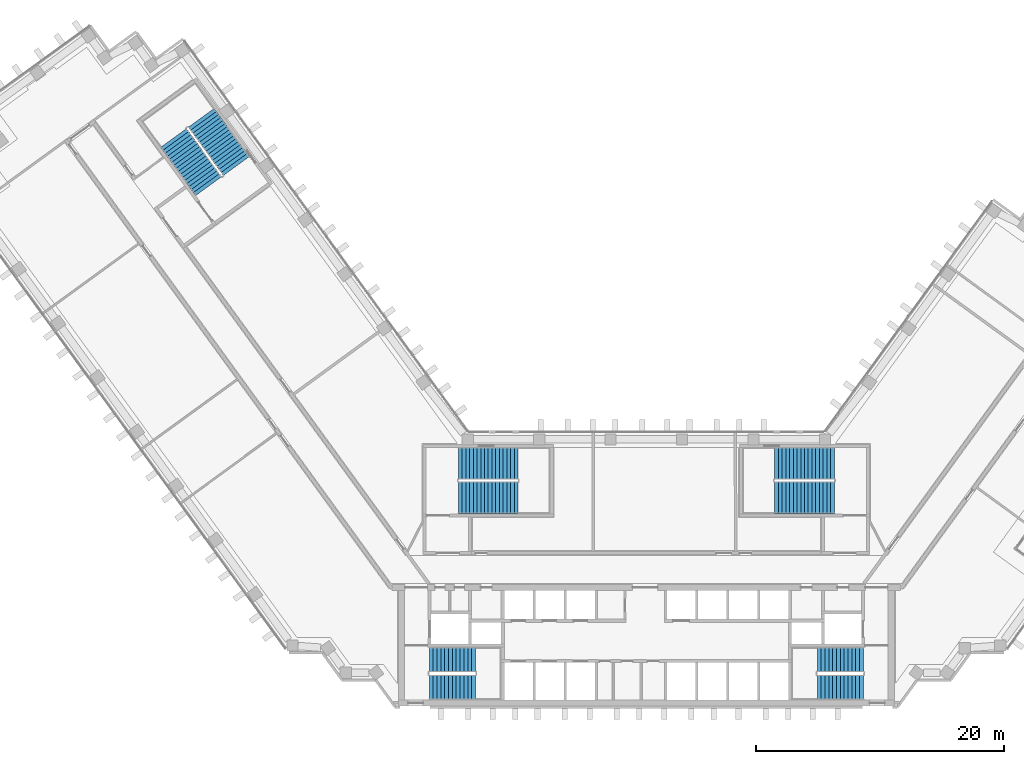
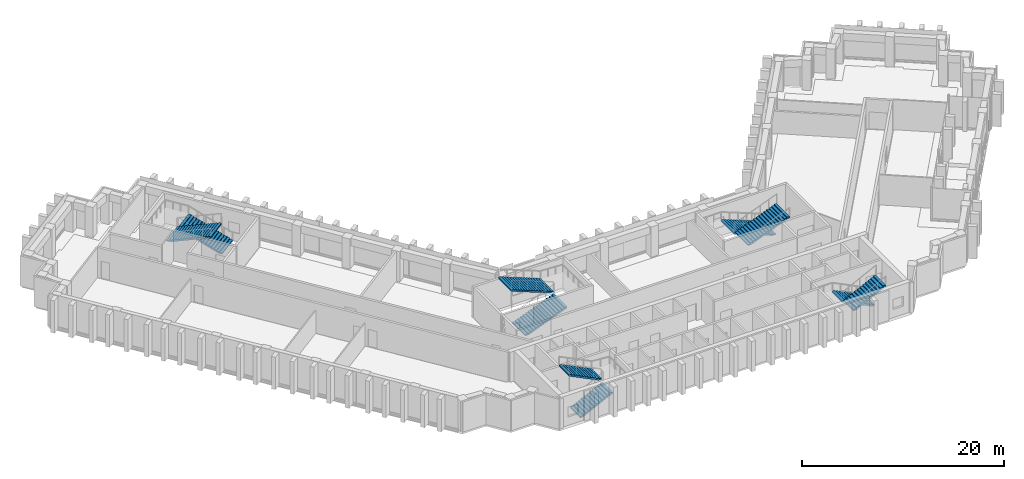
# One storey, part 12 of 15: 10 stair flights, 5 elements without a shape of their own.
"""IFC4 building model written with IfcOpenShell, lengths in metres."""

from ifc_helpers import new_model, si_unit, direction, frame, origin, place, context, subcontext, project, spatial, polyline, outline, extrude, material, type_object, element, aggregate, save


model = new_model("IFC4")

# Units and contexts
model_context = context("Model", 3, precision=1e-05, world=origin(), true_north=direction((0.0, 1.0)))
body_context = subcontext(model_context, "Body", "Model", "MODEL_VIEW")
ifc_project = project(units=[si_unit("LENGTHUNIT", "METRE"), si_unit("AREAUNIT", "SQUARE_METRE"), si_unit("VOLUMEUNIT", "CUBIC_METRE"), si_unit("PLANEANGLEUNIT", "RADIAN"), si_unit("MASSUNIT", "GRAM", prefix="KILO")], contexts=[model_context])

# Site, building, storey
site_placement = place(None, origin())
site = spatial("IfcSite", under=ifc_project, at=site_placement, CompositionType="ELEMENT")
building_placement = place(site_placement, origin())
building = spatial("IfcBuilding", under=site, at=building_placement, Name="Quipu Civic Tower", CompositionType="ELEMENT")
storey_placement = place(building_placement, frame((0.0, 0.0, 97.0)))
storey = spatial("IfcBuildingStorey", under=building, at=storey_placement, Name="L22", CompositionType="ELEMENT", Elevation=97.0)

# Stair, stair flights
ifc_material_1 = material(Name="Concrete C40/50", Category="concrete")
stair_type_1 = type_object("IfcStairType", Name="Half turn stair 2000", PredefinedType="HALF_TURN_STAIR", material=ifc_material_1)
stair_1_placement = place(storey_placement, origin())
stair_1 = element("IfcStair", 1, at=stair_1_placement, inside=storey, type_object=stair_type_1, Name="Exit stair 1", PredefinedType="HALF_TURN_STAIR")
ifc_material_2 = material(Name="Concrete C40/50", Category="concrete")
stair_flight_type_1 = type_object("IfcStairFlightType", Name="Stair flight 2000", PredefinedType="STRAIGHT", material=ifc_material_2)
stair_flight_1_placement = place(storey_placement, frame((-17.5, -9.5, 0.0), z_axis=(0.0, 0.0, 1.0), x_axis=(1.0, 0.0, 0.0)))
stair_flight_1 = element("IfcStairFlight", 2, at=stair_flight_1_placement, type_object=stair_flight_type_1, Name="ST-1 flight 1", NumberOfRisers=13, NumberOfTreads=12, PredefinedType="STRAIGHT", RiserHeight=0.153846154, TreadLength=0.31, context=body_context, shape_type="SweptSolid", body=[
    extrude(outline(polyline([(0.0, 0.0), (0.0, 0.15380859375), (0.31005859375, 0.15380859375), (0.31005859375, 0.3076171875), (0.6201171875, 0.3076171875), (0.6201171875, 0.46142578125), (0.929931640625, 0.46142578125), (0.929931640625, 0.615478515625), (1.239990234375, 0.615478515625), (1.239990234375, 0.769287109375), (1.550048828125, 0.769287109375), (1.550048828125, 0.923095703125), (1.860107421875, 0.923095703125), (1.860107421875, 1.076904296875), (2.169921875, 1.076904296875), (2.169921875, 1.230712890625), (2.47998046875, 1.230712890625), (2.47998046875, 1.384521484375), (2.7900390625, 1.384521484375), (2.7900390625, 1.53857421875), (3.10009765625, 1.53857421875), (3.10009765625, 1.6923828125), (3.409912109375, 1.6923828125), (3.409912109375, 1.84619140625), (3.719970703125, 1.84619140625), (3.719970703125, 2.0), (3.719970703125, 1.6787109375), (0.337158203125, 0.0), (0.0, 0.0)])), frame((0.0, 1.0, 0.0), z_axis=(0.0, -1.0, 0.0), x_axis=(1.0, 0.0, 0.0)), (0.0, 0.0, 1.0), 2.0),
])
stair_flight_2_placement = place(storey_placement, frame((-13.780029296875, -7.25, 2.0), z_axis=(0.0, 0.0, 1.0), x_axis=(-1.0, 0.0, 0.0)))
stair_flight_2 = element("IfcStairFlight", 3, at=stair_flight_2_placement, type_object=stair_flight_type_1, Name="ST-1 flight 2", NumberOfRisers=13, NumberOfTreads=12, PredefinedType="STRAIGHT", RiserHeight=0.153846154, TreadLength=0.31, context=body_context, shape_type="SweptSolid", body=[
    extrude(outline(polyline([(0.0, 0.0), (0.0, 0.15380859375), (0.31005859375, 0.15380859375), (0.31005859375, 0.3076171875), (0.6201171875, 0.3076171875), (0.6201171875, 0.46142578125), (0.929931640625, 0.46142578125), (0.929931640625, 0.615478515625), (1.239990234375, 0.615478515625), (1.239990234375, 0.769287109375), (1.550048828125, 0.769287109375), (1.550048828125, 0.923095703125), (1.860107421875, 0.923095703125), (1.860107421875, 1.076904296875), (2.169921875, 1.076904296875), (2.169921875, 1.230712890625), (2.47998046875, 1.230712890625), (2.47998046875, 1.384521484375), (2.7900390625, 1.384521484375), (2.7900390625, 1.53857421875), (3.10009765625, 1.53857421875), (3.10009765625, 1.6923828125), (3.409912109375, 1.6923828125), (3.409912109375, 1.84619140625), (3.719970703125, 1.84619140625), (3.719970703125, 2.0), (3.719970703125, 1.6787109375), (0.337158203125, 0.0), (0.0, 0.0)])), frame((0.0, 1.0, 0.0), z_axis=(0.0, -1.0, 0.0), x_axis=(1.0, 0.0, 0.0)), (0.0, 0.0, 1.0), 2.0),
])
aggregate(stair_1, [stair_flight_1, stair_flight_2])

stair_2_placement = place(storey_placement, origin())
stair_2 = element("IfcStair", 4, at=stair_2_placement, inside=storey, type_object=stair_type_1, Name="Exit stair 2", PredefinedType="HALF_TURN_STAIR")
stair_flight_3_placement = place(storey_placement, frame((17.5, -7.25, 0.0), z_axis=(0.0, 0.0, 1.0), x_axis=(-1.0, 0.0, 0.0)))
stair_flight_3 = element("IfcStairFlight", 5, at=stair_flight_3_placement, type_object=stair_flight_type_1, Name="ST-2 flight 1", NumberOfRisers=13, NumberOfTreads=12, PredefinedType="STRAIGHT", RiserHeight=0.153846154, TreadLength=0.31, context=body_context, shape_type="SweptSolid", body=[
    extrude(outline(polyline([(0.0, 0.0), (0.0, 0.15380859375), (0.31005859375, 0.15380859375), (0.31005859375, 0.3076171875), (0.6201171875, 0.3076171875), (0.6201171875, 0.46142578125), (0.929931640625, 0.46142578125), (0.929931640625, 0.615478515625), (1.239990234375, 0.615478515625), (1.239990234375, 0.769287109375), (1.550048828125, 0.769287109375), (1.550048828125, 0.923095703125), (1.860107421875, 0.923095703125), (1.860107421875, 1.076904296875), (2.169921875, 1.076904296875), (2.169921875, 1.230712890625), (2.47998046875, 1.230712890625), (2.47998046875, 1.384521484375), (2.7900390625, 1.384521484375), (2.7900390625, 1.53857421875), (3.10009765625, 1.53857421875), (3.10009765625, 1.6923828125), (3.409912109375, 1.6923828125), (3.409912109375, 1.84619140625), (3.719970703125, 1.84619140625), (3.719970703125, 2.0), (3.719970703125, 1.6787109375), (0.337158203125, 0.0), (0.0, 0.0)])), frame((0.0, 1.0, 0.0), z_axis=(0.0, -1.0, 0.0), x_axis=(1.0, 0.0, 0.0)), (0.0, 0.0, 1.0), 2.0),
])
stair_flight_4_placement = place(storey_placement, frame((13.780029296875, -9.5, 2.0), z_axis=(0.0, 0.0, 1.0), x_axis=(1.0, 0.0, 0.0)))
stair_flight_4 = element("IfcStairFlight", 6, at=stair_flight_4_placement, type_object=stair_flight_type_1, Name="ST-2 flight 2", NumberOfRisers=13, NumberOfTreads=12, PredefinedType="STRAIGHT", RiserHeight=0.153846154, TreadLength=0.31, context=body_context, shape_type="SweptSolid", body=[
    extrude(outline(polyline([(0.0, 0.0), (0.0, 0.15380859375), (0.31005859375, 0.15380859375), (0.31005859375, 0.3076171875), (0.6201171875, 0.3076171875), (0.6201171875, 0.46142578125), (0.929931640625, 0.46142578125), (0.929931640625, 0.615478515625), (1.239990234375, 0.615478515625), (1.239990234375, 0.769287109375), (1.550048828125, 0.769287109375), (1.550048828125, 0.923095703125), (1.860107421875, 0.923095703125), (1.860107421875, 1.076904296875), (2.169921875, 1.076904296875), (2.169921875, 1.230712890625), (2.47998046875, 1.230712890625), (2.47998046875, 1.384521484375), (2.7900390625, 1.384521484375), (2.7900390625, 1.53857421875), (3.10009765625, 1.53857421875), (3.10009765625, 1.6923828125), (3.409912109375, 1.6923828125), (3.409912109375, 1.84619140625), (3.719970703125, 1.84619140625), (3.719970703125, 2.0), (3.719970703125, 1.6787109375), (0.337158203125, 0.0), (0.0, 0.0)])), frame((0.0, 1.0, 0.0), z_axis=(0.0, -1.0, 0.0), x_axis=(1.0, 0.0, 0.0)), (0.0, 0.0, 1.0), 2.0),
])
aggregate(stair_2, [stair_flight_3, stair_flight_4])

ifc_material_3 = material(Name="Concrete C40/50", Category="concrete")
stair_type_2 = type_object("IfcStairType", Name="Half turn stair 2600", PredefinedType="HALF_TURN_STAIR", material=ifc_material_3)
stair_3_placement = place(storey_placement, origin())
stair_3 = element("IfcStair", 7, at=stair_3_placement, inside=storey, type_object=stair_type_2, Name="Exit stair 3", PredefinedType="HALF_TURN_STAIR")
ifc_material_4 = material(Name="Concrete C40/50", Category="concrete")
stair_flight_type_2 = type_object("IfcStairFlightType", Name="Stair flight 2600", PredefinedType="STRAIGHT", material=ifc_material_4)
stair_flight_5_placement = place(storey_placement, frame((-15.14990234375, 5.800048828125, 0.0), z_axis=(0.0, 0.0, 1.0), x_axis=(1.0, 0.0, 0.0)))
stair_flight_5 = element("IfcStairFlight", 8, at=stair_flight_5_placement, type_object=stair_flight_type_2, Name="ST-3 flight 1", NumberOfRisers=17, NumberOfTreads=16, PredefinedType="STRAIGHT", RiserHeight=0.117647059, TreadLength=0.3, context=body_context, shape_type="SweptSolid", body=[
    extrude(outline(polyline([(0.0, 0.0), (0.0, 0.11767578125), (0.300048828125, 0.11767578125), (0.300048828125, 0.2353515625), (0.60009765625, 0.2353515625), (0.60009765625, 0.35302734375), (0.89990234375, 0.35302734375), (0.89990234375, 0.470703125), (1.199951171875, 0.470703125), (1.199951171875, 0.588134765625), (1.5, 0.588134765625), (1.5, 0.705810546875), (1.800048828125, 0.705810546875), (1.800048828125, 0.823486328125), (2.10009765625, 0.823486328125), (2.10009765625, 0.941162109375), (2.39990234375, 0.941162109375), (2.39990234375, 1.058837890625), (2.699951171875, 1.058837890625), (2.699951171875, 1.176513671875), (3.0, 1.176513671875), (3.0, 1.294189453125), (3.300048828125, 1.294189453125), (3.300048828125, 1.411865234375), (3.60009765625, 1.411865234375), (3.60009765625, 1.529296875), (3.89990234375, 1.529296875), (3.89990234375, 1.64697265625), (4.199951171875, 1.64697265625), (4.199951171875, 1.7646484375), (4.5, 1.7646484375), (4.5, 1.88232421875), (4.800048828125, 1.88232421875), (4.800048828125, 2.0), (4.800048828125, 1.721435546875), (0.41064453125, 0.0), (0.0, 0.0)])), frame((0.0, 1.300048828125, 0.0), z_axis=(0.0, -1.0, 0.0), x_axis=(1.0, 0.0, 0.0)), (0.0, 0.0, 1.0), 2.60009765625),
])
stair_flight_6_placement = place(storey_placement, frame((-10.35009765625, 8.550048828125, 2.0), z_axis=(0.0, 0.0, 1.0), x_axis=(-1.0, 0.0, 0.0)))
stair_flight_6 = element("IfcStairFlight", 9, at=stair_flight_6_placement, type_object=stair_flight_type_2, Name="ST-3 flight 2", NumberOfRisers=17, NumberOfTreads=16, PredefinedType="STRAIGHT", RiserHeight=0.117647059, TreadLength=0.3, context=body_context, shape_type="SweptSolid", body=[
    extrude(outline(polyline([(0.0, 0.0), (0.0, 0.11767578125), (0.300048828125, 0.11767578125), (0.300048828125, 0.2353515625), (0.60009765625, 0.2353515625), (0.60009765625, 0.35302734375), (0.89990234375, 0.35302734375), (0.89990234375, 0.470703125), (1.199951171875, 0.470703125), (1.199951171875, 0.588134765625), (1.5, 0.588134765625), (1.5, 0.705810546875), (1.800048828125, 0.705810546875), (1.800048828125, 0.823486328125), (2.10009765625, 0.823486328125), (2.10009765625, 0.941162109375), (2.39990234375, 0.941162109375), (2.39990234375, 1.058837890625), (2.699951171875, 1.058837890625), (2.699951171875, 1.176513671875), (3.0, 1.176513671875), (3.0, 1.294189453125), (3.300048828125, 1.294189453125), (3.300048828125, 1.411865234375), (3.60009765625, 1.411865234375), (3.60009765625, 1.529296875), (3.89990234375, 1.529296875), (3.89990234375, 1.64697265625), (4.199951171875, 1.64697265625), (4.199951171875, 1.7646484375), (4.5, 1.7646484375), (4.5, 1.88232421875), (4.800048828125, 1.88232421875), (4.800048828125, 2.0), (4.800048828125, 1.721435546875), (0.41064453125, 0.0), (0.0, 0.0)])), frame((0.0, 1.300048828125, 0.0), z_axis=(0.0, -1.0, 0.0), x_axis=(1.0, 0.0, 0.0)), (0.0, 0.0, 1.0), 2.60009765625),
])
aggregate(stair_3, [stair_flight_5, stair_flight_6])

stair_4_placement = place(storey_placement, origin())
stair_4 = element("IfcStair", 10, at=stair_4_placement, inside=storey, type_object=stair_type_2, Name="Exit stair 4", PredefinedType="HALF_TURN_STAIR")
stair_flight_7_placement = place(storey_placement, frame((15.14990234375, 8.550048828125, 0.0), z_axis=(0.0, 0.0, 1.0), x_axis=(-1.0, 0.0, 0.0)))
stair_flight_7 = element("IfcStairFlight", 11, at=stair_flight_7_placement, type_object=stair_flight_type_2, Name="ST-4 flight 1", NumberOfRisers=17, NumberOfTreads=16, PredefinedType="STRAIGHT", RiserHeight=0.117647059, TreadLength=0.3, context=body_context, shape_type="SweptSolid", body=[
    extrude(outline(polyline([(0.0, 0.0), (0.0, 0.11767578125), (0.300048828125, 0.11767578125), (0.300048828125, 0.2353515625), (0.60009765625, 0.2353515625), (0.60009765625, 0.35302734375), (0.89990234375, 0.35302734375), (0.89990234375, 0.470703125), (1.199951171875, 0.470703125), (1.199951171875, 0.588134765625), (1.5, 0.588134765625), (1.5, 0.705810546875), (1.800048828125, 0.705810546875), (1.800048828125, 0.823486328125), (2.10009765625, 0.823486328125), (2.10009765625, 0.941162109375), (2.39990234375, 0.941162109375), (2.39990234375, 1.058837890625), (2.699951171875, 1.058837890625), (2.699951171875, 1.176513671875), (3.0, 1.176513671875), (3.0, 1.294189453125), (3.300048828125, 1.294189453125), (3.300048828125, 1.411865234375), (3.60009765625, 1.411865234375), (3.60009765625, 1.529296875), (3.89990234375, 1.529296875), (3.89990234375, 1.64697265625), (4.199951171875, 1.64697265625), (4.199951171875, 1.7646484375), (4.5, 1.7646484375), (4.5, 1.88232421875), (4.800048828125, 1.88232421875), (4.800048828125, 2.0), (4.800048828125, 1.721435546875), (0.41064453125, 0.0), (0.0, 0.0)])), frame((0.0, 1.300048828125, 0.0), z_axis=(0.0, -1.0, 0.0), x_axis=(1.0, 0.0, 0.0)), (0.0, 0.0, 1.0), 2.60009765625),
])
stair_flight_8_placement = place(storey_placement, frame((10.35009765625, 5.800048828125, 2.0), z_axis=(0.0, 0.0, 1.0), x_axis=(1.0, 0.0, 0.0)))
stair_flight_8 = element("IfcStairFlight", 12, at=stair_flight_8_placement, type_object=stair_flight_type_2, Name="ST-4 flight 2", NumberOfRisers=17, NumberOfTreads=16, PredefinedType="STRAIGHT", RiserHeight=0.117647059, TreadLength=0.3, context=body_context, shape_type="SweptSolid", body=[
    extrude(outline(polyline([(0.0, 0.0), (0.0, 0.11767578125), (0.300048828125, 0.11767578125), (0.300048828125, 0.2353515625), (0.60009765625, 0.2353515625), (0.60009765625, 0.35302734375), (0.89990234375, 0.35302734375), (0.89990234375, 0.470703125), (1.199951171875, 0.470703125), (1.199951171875, 0.588134765625), (1.5, 0.588134765625), (1.5, 0.705810546875), (1.800048828125, 0.705810546875), (1.800048828125, 0.823486328125), (2.10009765625, 0.823486328125), (2.10009765625, 0.941162109375), (2.39990234375, 0.941162109375), (2.39990234375, 1.058837890625), (2.699951171875, 1.058837890625), (2.699951171875, 1.176513671875), (3.0, 1.176513671875), (3.0, 1.294189453125), (3.300048828125, 1.294189453125), (3.300048828125, 1.411865234375), (3.60009765625, 1.411865234375), (3.60009765625, 1.529296875), (3.89990234375, 1.529296875), (3.89990234375, 1.64697265625), (4.199951171875, 1.64697265625), (4.199951171875, 1.7646484375), (4.5, 1.7646484375), (4.5, 1.88232421875), (4.800048828125, 1.88232421875), (4.800048828125, 2.0), (4.800048828125, 1.721435546875), (0.41064453125, 0.0), (0.0, 0.0)])), frame((0.0, 1.300048828125, 0.0), z_axis=(0.0, -1.0, 0.0), x_axis=(1.0, 0.0, 0.0)), (0.0, 0.0, 1.0), 2.60009765625),
])
aggregate(stair_4, [stair_flight_7, stair_flight_8])

stair_5_placement = place(storey_placement, origin())
stair_5 = element("IfcStair", 13, at=stair_5_placement, inside=storey, type_object=stair_type_2, Name="Exit stair 6", PredefinedType="HALF_TURN_STAIR")
stair_flight_9_placement = place(storey_placement, frame((-33.067626953125, 32.5322265625, 0.0), z_axis=(0.0, 0.0, 1.0), x_axis=(-0.587785252292, 0.809016994375, 0.0)))
stair_flight_9 = element("IfcStairFlight", 14, at=stair_flight_9_placement, type_object=stair_flight_type_2, Name="ST-6 flight 1", NumberOfRisers=17, NumberOfTreads=16, PredefinedType="STRAIGHT", RiserHeight=0.117647059, TreadLength=0.3, context=body_context, shape_type="SweptSolid", body=[
    extrude(outline(polyline([(0.0, 0.0), (0.0, 0.11767578125), (0.300048828125, 0.11767578125), (0.300048828125, 0.2353515625), (0.60009765625, 0.2353515625), (0.60009765625, 0.35302734375), (0.89990234375, 0.35302734375), (0.89990234375, 0.470703125), (1.199951171875, 0.470703125), (1.199951171875, 0.588134765625), (1.5, 0.588134765625), (1.5, 0.705810546875), (1.800048828125, 0.705810546875), (1.800048828125, 0.823486328125), (2.10009765625, 0.823486328125), (2.10009765625, 0.941162109375), (2.39990234375, 0.941162109375), (2.39990234375, 1.058837890625), (2.699951171875, 1.058837890625), (2.699951171875, 1.176513671875), (3.0, 1.176513671875), (3.0, 1.294189453125), (3.300048828125, 1.294189453125), (3.300048828125, 1.411865234375), (3.60009765625, 1.411865234375), (3.60009765625, 1.529296875), (3.89990234375, 1.529296875), (3.89990234375, 1.64697265625), (4.199951171875, 1.64697265625), (4.199951171875, 1.7646484375), (4.5, 1.7646484375), (4.5, 1.88232421875), (4.800048828125, 1.88232421875), (4.800048828125, 2.0), (4.800048828125, 1.721435546875), (0.41064453125, 0.0), (0.0, 0.0)])), frame((0.0, 1.300048828125, 0.0), z_axis=(0.0, -1.0, 0.0), x_axis=(1.0, 0.0, 0.0)), (0.0, 0.0, 1.0), 2.60009765625),
])
stair_flight_10_placement = place(storey_placement, frame((-38.11376953125, 34.799072265625, 2.0), z_axis=(0.0, 0.0, 1.0), x_axis=(0.587785252292, -0.809016994375, 0.0)))
stair_flight_10 = element("IfcStairFlight", 15, at=stair_flight_10_placement, type_object=stair_flight_type_2, Name="ST-6 flight 2", NumberOfRisers=17, NumberOfTreads=16, PredefinedType="STRAIGHT", RiserHeight=0.117647059, TreadLength=0.3, context=body_context, shape_type="SweptSolid", body=[
    extrude(outline(polyline([(0.0, 0.0), (0.0, 0.11767578125), (0.300048828125, 0.11767578125), (0.300048828125, 0.2353515625), (0.60009765625, 0.2353515625), (0.60009765625, 0.35302734375), (0.89990234375, 0.35302734375), (0.89990234375, 0.470703125), (1.199951171875, 0.470703125), (1.199951171875, 0.588134765625), (1.5, 0.588134765625), (1.5, 0.705810546875), (1.800048828125, 0.705810546875), (1.800048828125, 0.823486328125), (2.10009765625, 0.823486328125), (2.10009765625, 0.941162109375), (2.39990234375, 0.941162109375), (2.39990234375, 1.058837890625), (2.699951171875, 1.058837890625), (2.699951171875, 1.176513671875), (3.0, 1.176513671875), (3.0, 1.294189453125), (3.300048828125, 1.294189453125), (3.300048828125, 1.411865234375), (3.60009765625, 1.411865234375), (3.60009765625, 1.529296875), (3.89990234375, 1.529296875), (3.89990234375, 1.64697265625), (4.199951171875, 1.64697265625), (4.199951171875, 1.7646484375), (4.5, 1.7646484375), (4.5, 1.88232421875), (4.800048828125, 1.88232421875), (4.800048828125, 2.0), (4.800048828125, 1.721435546875), (0.41064453125, 0.0), (0.0, 0.0)])), frame((0.0, 1.300048828125, 0.0), z_axis=(0.0, -1.0, 0.0), x_axis=(1.0, 0.0, 0.0)), (0.0, 0.0, 1.0), 2.60009765625),
])
aggregate(stair_5, [stair_flight_9, stair_flight_10])

save(model, "model.ifc")
